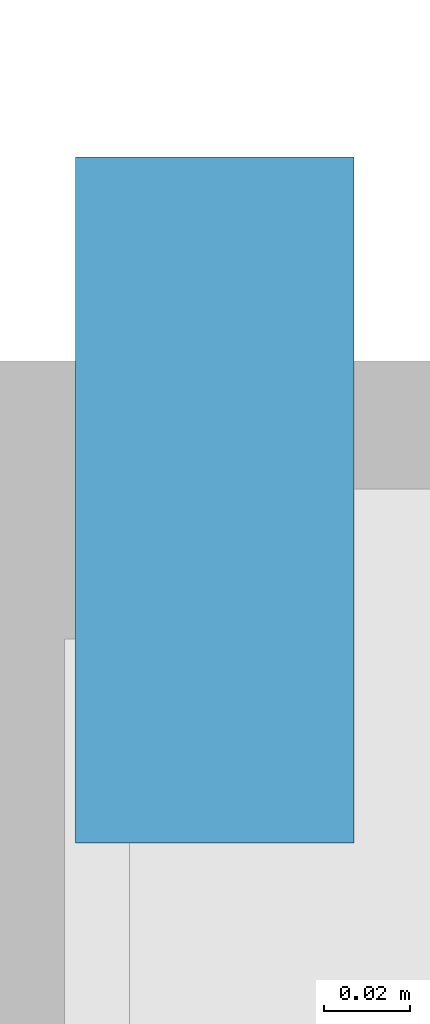
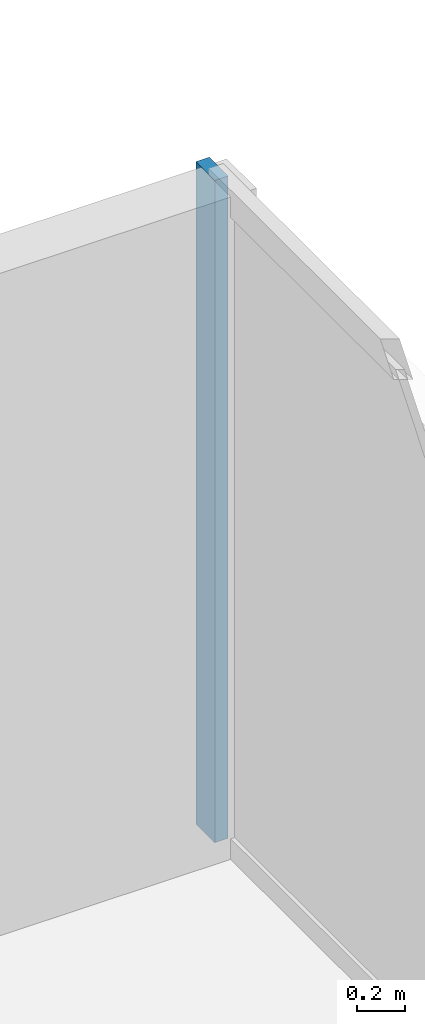
# One storey, part 6 of 14: 1 member, 1 element without a shape of its own.
"""IFC4 building model written with IfcOpenShell, lengths in metres."""

from ifc_helpers import new_model, si_unit, direction, frame, origin, origin_2d, place, context, subcontext, project, spatial, rectangle, extrude, material, layer, layer_set, material_profile, profile_set, type_object, element, aggregate, save


model = new_model("IFC4")

# Units and contexts
model_context = context("Model", 3, precision=1e-05, world=origin(), true_north=direction((0.0, 1.0)))
body_context = subcontext(model_context, "Body", "Model", "MODEL_VIEW")
ifc_project = project(units=[si_unit("LENGTHUNIT", "METRE"), si_unit("AREAUNIT", "SQUARE_METRE"), si_unit("VOLUMEUNIT", "CUBIC_METRE"), si_unit("PLANEANGLEUNIT", "RADIAN"), si_unit("MASSUNIT", "GRAM", prefix="KILO")], contexts=[model_context])

# Site, building, storey
site_placement = place(None, origin())
site = spatial("IfcSite", under=ifc_project, at=site_placement, CompositionType="ELEMENT")
building_placement = place(site_placement, origin())
building = spatial("IfcBuilding", under=site, at=building_placement, Name="Kinhvarn Gate Tower", CompositionType="ELEMENT")
storey_placement = place(building_placement, frame((0.0, 0.0, 263.449951171875)))
storey = spatial("IfcBuildingStorey", under=building, at=storey_placement, Name="L70", CompositionType="ELEMENT", Elevation=263.449951171875)

# Curtain wall, member
ifc_material = material(Name="Anodised aluminium AW-6063", Category="aluminium")
ifc_layer = layer(ifc_material, 0.179931640625)
ifc_layer_set = layer_set([ifc_layer], Name="Anodised aluminium AW-6063")
curtain_wall_type = type_object("IfcCurtainWallType", Name="CW-SYS-3", PredefinedType="NOTDEFINED", material=ifc_layer_set)
curtain_wall_placement = place(storey_placement, origin())
curtain_wall = element("IfcCurtainWall", 1, at=curtain_wall_placement, inside=storey, type_object=curtain_wall_type, Name="Curtain Wall CW3 (L70)", PredefinedType="NOTDEFINED")
ifc_material_profile = material_profile(ifc_material, rectangle(XDim=0.06494140625, YDim=0.159912109375, at=origin_2d()), Name="ALU 65x160")
ifc_profile_set = profile_set([ifc_material_profile], Name="Anodised aluminium AW-6063")
member_type = type_object("IfcMemberType", Name="CW-MUL-160", PredefinedType="MULLION", material=ifc_profile_set)
member_placement = place(storey_placement, frame((44.409912109375, 39.367431640625, 0.0), z_axis=(0.0, 0.0, 1.0), x_axis=(-1.0, 0.0, 0.0)))
member = element("IfcMember", 2, at=member_placement, type_object=member_type, Name="CW3 mullion 7", PredefinedType="MULLION", context=body_context, shape_type="SweptSolid", body=[
    extrude(rectangle(XDim=0.06494140625, YDim=0.159912109375, at=origin_2d()), origin(), (0.0, 0.0, 1.0), 3.39013671875),
])
aggregate(curtain_wall, [member])

save(model, "model.ifc")
